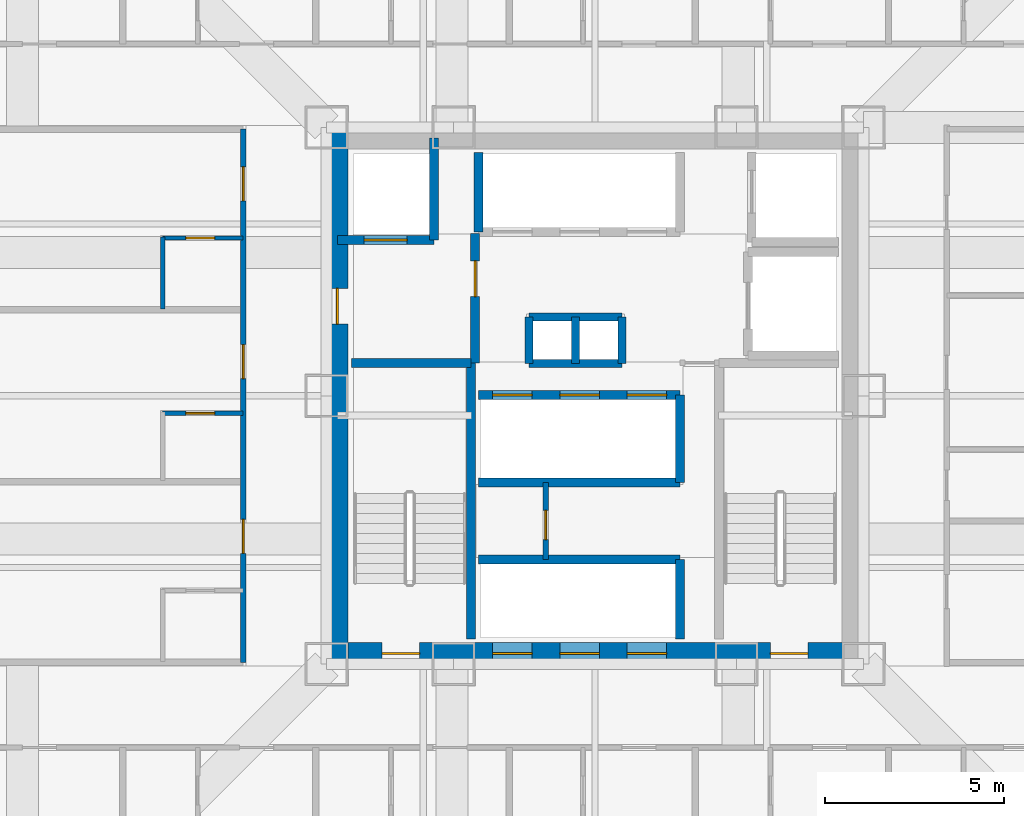
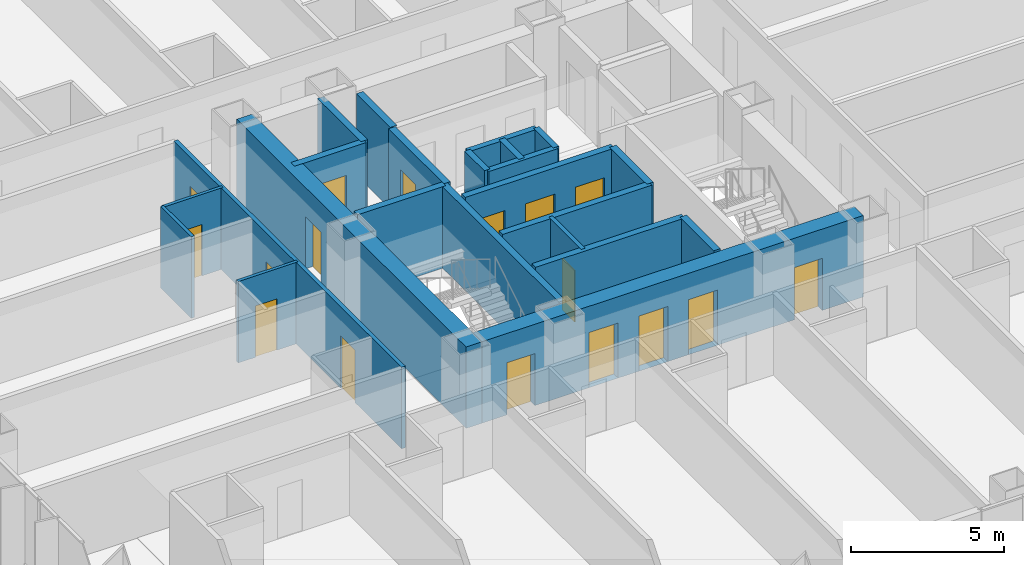
# One storey, part 16 of 24: 23 walls, 17 doors, 17 openings.
"""IFC4 building model written with IfcOpenShell, lengths in metres."""

from ifc_helpers import new_model, si_unit, direction, frame, frame_2d, origin, place, context, subcontext, project, spatial, rectangle, extrude, material, layer, layer_set, type_object, element, fill, save


model = new_model("IFC4")

# Units and contexts
model_context = context("Model", 3, precision=1e-05, world=origin(), true_north=direction((0.0, 1.0)))
body_context = subcontext(model_context, "Body", "Model", "MODEL_VIEW")
ifc_project = project(units=[si_unit("LENGTHUNIT", "METRE"), si_unit("AREAUNIT", "SQUARE_METRE"), si_unit("VOLUMEUNIT", "CUBIC_METRE"), si_unit("PLANEANGLEUNIT", "RADIAN"), si_unit("MASSUNIT", "GRAM", prefix="KILO")], contexts=[model_context])

# Site, building, storey
site_placement = place(None, origin())
site = spatial("IfcSite", under=ifc_project, at=site_placement, CompositionType="ELEMENT")
building_placement = place(site_placement, origin())
building = spatial("IfcBuilding", under=site, at=building_placement, Name="Trevonay Congress Spire", CompositionType="ELEMENT")
storey_placement = place(building_placement, frame((0.0, 0.0, 27.0)))
storey = spatial("IfcBuildingStorey", under=building, at=storey_placement, Name="L05", CompositionType="ELEMENT", Elevation=27.0)

# Wall, opening, door
ifc_material_1 = material(Name="Concrete C40/50", Category="concrete")
ifc_layer_1 = layer(ifc_material_1, 0.1201171875, Name="Concrete C40/50")
ifc_layer_set_1 = layer_set([ifc_layer_1], Name="Concrete C40/50")
wall_type_1 = type_object("IfcWallType", Name="WAL-BATH-120", PredefinedType="PLUMBINGWALL", material=ifc_layer_set_1)
wall_1_placement = place(storey_placement, frame((-12.080078125, -0.487060546875, 0.0), z_axis=(0.0, 0.0, 1.0), x_axis=(1.0, 0.0, 0.0)))
wall_1 = element("IfcWall", 1, at=wall_1_placement, inside=storey, type_object=wall_type_1, Name="L05 interior wall WH-L05W-BS2", PredefinedType="PLUMBINGWALL", context=body_context, shape_type="SweptSolid", body=[
    extrude(rectangle(XDim=2.25, YDim=0.1201171875, at=frame_2d((1.125, 0.0))), origin(), (0.0, 0.0, 1.0), 3.25),
])
opening_1_placement = place(wall_1_placement, frame((0.64990234375, 0.0, 0.0)))
opening_1 = element("IfcOpeningElement", 2, at=opening_1_placement, cuts=wall_1, Name="Opening D11", PredefinedType="OPENING", context=body_context, shape_type="SweptSolid", body=[
    extrude(rectangle(XDim=0.800048828125, YDim=2.050048828125, at=frame_2d((0.39990234375, 1.02490234375))), frame((0.0, 0.070068359375, 0.0), z_axis=(0.0, -1.0, 0.0), x_axis=(1.0, 0.0, 0.0)), (0.0, 0.0, 1.0), 0.14013671875),
])
ifc_material_2 = material(Name="Pale Anodised Aluminium EN AW-6063-T6", Category="aluminium")
door_type_1 = type_object("IfcDoorType", Name="DOR-BATH-80", OperationType="NOTDEFINED", PredefinedType="DOOR", material=ifc_material_2)
door_1_placement = place(opening_1_placement, origin())
door_1 = element("IfcDoor", 3, at=door_1_placement, inside=storey, type_object=door_type_1, Name="L05 En-suite Bathroom Door", OperationType="SINGLE_SWING_LEFT", OverallHeight=2.050048828125, OverallWidth=0.800048828125, PredefinedType="DOOR", context=body_context, shape_type="SweptSolid", body=[
    extrude(rectangle(XDim=0.800048828125, YDim=2.050048828125, at=frame_2d((0.39990234375, 1.02490234375))), frame((0.0, 0.02490234375, 0.0), z_axis=(0.0, -1.0, 0.0), x_axis=(1.0, 0.0, 0.0)), (0.0, 0.0, 1.0), 0.050048828125),
])
fill(opening_1, door_1)

wall_2_placement = place(storey_placement, frame((-12.080078125, 4.407958984375, 0.0), z_axis=(0.0, 0.0, 1.0), x_axis=(1.0, 0.0, 0.0)))
wall_2 = element("IfcWall", 4, at=wall_2_placement, inside=storey, type_object=wall_type_1, Name="L05 interior wall WH-L05W-BS3", PredefinedType="PLUMBINGWALL", context=body_context, shape_type="SweptSolid", body=[
    extrude(rectangle(XDim=2.25, YDim=0.1201171875, at=frame_2d((1.125, 0.0))), origin(), (0.0, 0.0, 1.0), 3.25),
])
opening_2_placement = place(wall_2_placement, frame((0.64990234375, 0.0, 0.0)))
opening_2 = element("IfcOpeningElement", 5, at=opening_2_placement, cuts=wall_2, Name="Opening D11", PredefinedType="OPENING", context=body_context, shape_type="SweptSolid", body=[
    extrude(rectangle(XDim=0.800048828125, YDim=2.050048828125, at=frame_2d((0.39990234375, 1.02490234375))), frame((0.0, 0.070068359375, 0.0), z_axis=(0.0, -1.0, 0.0), x_axis=(1.0, 0.0, 0.0)), (0.0, 0.0, 1.0), 0.14013671875),
])
door_2_placement = place(opening_2_placement, origin())
door_2 = element("IfcDoor", 6, at=door_2_placement, inside=storey, type_object=door_type_1, Name="L05 En-suite Bathroom Door", OperationType="SINGLE_SWING_RIGHT", OverallHeight=2.050048828125, OverallWidth=0.800048828125, PredefinedType="DOOR", context=body_context, shape_type="SweptSolid", body=[
    extrude(rectangle(XDim=0.800048828125, YDim=2.050048828125, at=frame_2d((0.39990234375, 1.02490234375))), frame((0.0, 0.02490234375, 0.0), z_axis=(0.0, -1.0, 0.0), x_axis=(1.0, 0.0, 0.0)), (0.0, 0.0, 1.0), 0.050048828125),
])
fill(opening_2, door_2)

# Wall
wall_3_placement = place(storey_placement, frame((-12.080078125, 2.429931640625, 0.0), z_axis=(0.0, 0.0, 1.0), x_axis=(0.0, 1.0, 0.0)))
element("IfcWall", 7, at=wall_3_placement, inside=storey, type_object=wall_type_1, Name="L05 interior wall WH-L05W-BF3", PredefinedType="PLUMBINGWALL", context=body_context, shape_type="SweptSolid", body=[
    extrude(rectangle(XDim=2.008056640625, YDim=0.1201171875, at=frame_2d((1.00390625, 0.0))), origin(), (0.0, 0.0, 1.0), 3.25),
])

# Wall, openings, doors
ifc_material_3 = material(Name="Concrete C60/75", Category="concrete")
ifc_layer_2 = layer(ifc_material_3, 0.60009765625, Name="Concrete C60/75")
ifc_layer_set_2 = layer_set([ifc_layer_2], Name="Concrete C60/75")
wall_type_2 = type_object("IfcWallType", Name="WAL-CORE-600", PredefinedType="SHEAR", material=ifc_layer_set_2)
wall_4_placement = place(storey_placement, frame((-7.5, -7.199951171875, 0.0), z_axis=(0.0, 0.0, 1.0), x_axis=(1.0, 0.0, 0.0)))
wall_4 = element("IfcWall", 8, at=wall_4_placement, inside=storey, type_object=wall_type_2, Name="L05 South structural core shear wall", PredefinedType="SHEAR", context=body_context, shape_type="SweptSolid", body=[
    extrude(rectangle(XDim=15.0, YDim=0.60009765625, at=frame_2d((7.5, 0.0))), origin(), (0.0, 0.0, 1.0), 3.25),
])
opening_3_placement = place(wall_4_placement, frame((1.550048828125, 0.0, 0.0)))
opening_3 = element("IfcOpeningElement", 9, at=opening_3_placement, cuts=wall_4, Name="Opening D05", PredefinedType="OPENING", context=body_context, shape_type="SweptSolid", body=[
    extrude(rectangle(XDim=1.050048828125, YDim=2.080078125, at=frame_2d((0.52490234375, 1.0400390625))), frame((0.0, 0.31005859375, 0.0), z_axis=(0.0, -1.0, 0.0), x_axis=(1.0, 0.0, 0.0)), (0.0, 0.0, 1.0), 0.6201171875),
])
opening_4_placement = place(wall_4_placement, frame((12.39990234375, 0.0, 0.0)))
opening_4 = element("IfcOpeningElement", 10, at=opening_4_placement, cuts=wall_4, Name="Opening D05", PredefinedType="OPENING", context=body_context, shape_type="SweptSolid", body=[
    extrude(rectangle(XDim=1.050048828125, YDim=2.080078125, at=frame_2d((0.52490234375, 1.0400390625))), frame((0.0, 0.31005859375, 0.0), z_axis=(0.0, -1.0, 0.0), x_axis=(1.0, 0.0, 0.0)), (0.0, 0.0, 1.0), 0.6201171875),
])
opening_5_placement = place(wall_4_placement, frame((4.639892578125, 0.0, 0.0)))
opening_5 = element("IfcOpeningElement", 11, at=opening_5_placement, cuts=wall_4, Name="Opening LD01", PredefinedType="OPENING", context=body_context, shape_type="SweptSolid", body=[
    extrude(rectangle(XDim=1.10009765625, YDim=2.199951171875, at=frame_2d((0.550048828125, 1.10009765625))), frame((0.0, 0.31005859375, 0.0), z_axis=(0.0, -1.0, 0.0), x_axis=(1.0, 0.0, 0.0)), (0.0, 0.0, 1.0), 0.6201171875),
])
opening_6_placement = place(wall_4_placement, frame((6.52001953125, 0.0, 0.0)))
opening_6 = element("IfcOpeningElement", 12, at=opening_6_placement, cuts=wall_4, Name="Opening LD01", PredefinedType="OPENING", context=body_context, shape_type="SweptSolid", body=[
    extrude(rectangle(XDim=1.10009765625, YDim=2.199951171875, at=frame_2d((0.550048828125, 1.10009765625))), frame((0.0, 0.31005859375, 0.0), z_axis=(0.0, -1.0, 0.0), x_axis=(1.0, 0.0, 0.0)), (0.0, 0.0, 1.0), 0.6201171875),
])
opening_7_placement = place(wall_4_placement, frame((8.39990234375, 0.0, 0.0)))
opening_7 = element("IfcOpeningElement", 13, at=opening_7_placement, cuts=wall_4, Name="Opening LD01", PredefinedType="OPENING", context=body_context, shape_type="SweptSolid", body=[
    extrude(rectangle(XDim=1.10009765625, YDim=2.199951171875, at=frame_2d((0.550048828125, 1.10009765625))), frame((0.0, 0.31005859375, 0.0), z_axis=(0.0, -1.0, 0.0), x_axis=(1.0, 0.0, 0.0)), (0.0, 0.0, 1.0), 0.6201171875),
])
door_type_2 = type_object("IfcDoorType", Name="DOR-LIFT-LD01", OperationType="DOUBLE_DOOR_SLIDING", PredefinedType="DOOR", material=ifc_material_2)
door_3_placement = place(opening_5_placement, origin())
door_3 = element("IfcDoor", 14, at=door_3_placement, inside=storey, type_object=door_type_2, Name="L05 Passenger lift PL-01 landing door", OperationType="DOUBLE_DOOR_SLIDING", OverallHeight=2.199951171875, OverallWidth=1.10009765625, PredefinedType="DOOR", context=body_context, shape_type="SweptSolid", body=[
    extrude(rectangle(XDim=1.10009765625, YDim=2.199951171875, at=frame_2d((0.550048828125, 1.10009765625))), frame((0.0, 0.02490234375, 0.0), z_axis=(0.0, -1.0, 0.0), x_axis=(1.0, 0.0, 0.0)), (0.0, 0.0, 1.0), 0.050048828125),
])
fill(opening_5, door_3)
door_4_placement = place(opening_6_placement, origin())
door_4 = element("IfcDoor", 15, at=door_4_placement, inside=storey, type_object=door_type_2, Name="L05 Passenger lift PL-02 landing door", OperationType="DOUBLE_DOOR_SLIDING", OverallHeight=2.199951171875, OverallWidth=1.10009765625, PredefinedType="DOOR", context=body_context, shape_type="SweptSolid", body=[
    extrude(rectangle(XDim=1.10009765625, YDim=2.199951171875, at=frame_2d((0.550048828125, 1.10009765625))), frame((0.0, 0.02490234375, 0.0), z_axis=(0.0, -1.0, 0.0), x_axis=(1.0, 0.0, 0.0)), (0.0, 0.0, 1.0), 0.050048828125),
])
fill(opening_6, door_4)
door_5_placement = place(opening_7_placement, origin())
door_5 = element("IfcDoor", 16, at=door_5_placement, inside=storey, type_object=door_type_2, Name="L05 Passenger lift PL-03 landing door", OperationType="DOUBLE_DOOR_SLIDING", OverallHeight=2.199951171875, OverallWidth=1.10009765625, PredefinedType="DOOR", context=body_context, shape_type="SweptSolid", body=[
    extrude(rectangle(XDim=1.10009765625, YDim=2.199951171875, at=frame_2d((0.550048828125, 1.10009765625))), frame((0.0, 0.02490234375, 0.0), z_axis=(0.0, -1.0, 0.0), x_axis=(1.0, 0.0, 0.0)), (0.0, 0.0, 1.0), 0.050048828125),
])
fill(opening_7, door_5)
ifc_material_4 = material(Name="Steel ASTM A572 Grade 50", Category="steel")
door_type_3 = type_object("IfcDoorType", Name="DOR-STAIR-110", OperationType="NOTDEFINED", PredefinedType="DOOR", material=ifc_material_4)
door_6_placement = place(opening_3_placement, origin())
door_6 = element("IfcDoor", 17, at=door_6_placement, inside=storey, type_object=door_type_3, Name="L05 Protected Stair ST-1 Door", OperationType="SINGLE_SWING_RIGHT", OverallHeight=2.080078125, OverallWidth=1.050048828125, PredefinedType="DOOR", context=body_context, shape_type="SweptSolid", body=[
    extrude(rectangle(XDim=1.050048828125, YDim=2.080078125, at=frame_2d((0.52490234375, 1.0400390625))), frame((0.0, 0.02490234375, 0.0), z_axis=(0.0, -1.0, 0.0), x_axis=(1.0, 0.0, 0.0)), (0.0, 0.0, 1.0), 0.050048828125),
])
fill(opening_3, door_6)
door_7_placement = place(opening_4_placement, origin())
door_7 = element("IfcDoor", 18, at=door_7_placement, inside=storey, type_object=door_type_3, Name="L05 Protected Stair ST-2 Door", OperationType="SINGLE_SWING_LEFT", OverallHeight=2.080078125, OverallWidth=1.050048828125, PredefinedType="DOOR", context=body_context, shape_type="SweptSolid", body=[
    extrude(rectangle(XDim=1.050048828125, YDim=2.080078125, at=frame_2d((0.52490234375, 1.0400390625))), frame((0.0, 0.02490234375, 0.0), z_axis=(0.0, -1.0, 0.0), x_axis=(1.0, 0.0, 0.0)), (0.0, 0.0, 1.0), 0.050048828125),
])
fill(opening_4, door_7)

# Wall, opening, door
wall_5_placement = place(storey_placement, frame((-7.199951171875, -7.5, 0.0), z_axis=(0.0, 0.0, 1.0), x_axis=(0.0, 1.0, 0.0)))
wall_5 = element("IfcWall", 19, at=wall_5_placement, inside=storey, type_object=wall_type_2, Name="L05 West structural core shear wall", PredefinedType="SHEAR", context=body_context, shape_type="SweptSolid", body=[
    extrude(rectangle(XDim=15.0, YDim=0.60009765625, at=frame_2d((7.5, 0.0))), origin(), (0.0, 0.0, 1.0), 3.25),
])
opening_8_placement = place(wall_5_placement, frame((9.5, 0.0, 0.0)))
opening_8 = element("IfcOpeningElement", 20, at=opening_8_placement, cuts=wall_5, Name="Opening D06", PredefinedType="OPENING", context=body_context, shape_type="SweptSolid", body=[
    extrude(rectangle(XDim=1.0, YDim=2.080078125, at=frame_2d((0.5, 1.0400390625))), frame((0.0, 0.31005859375, 0.0), z_axis=(0.0, -1.0, 0.0), x_axis=(1.0, 0.0, 0.0)), (0.0, 0.0, 1.0), 0.6201171875),
])
door_type_4 = type_object("IfcDoorType", Name="DOR-FIRE-100", OperationType="NOTDEFINED", PredefinedType="DOOR", material=ifc_material_4)
door_8_placement = place(opening_8_placement, origin())
door_8 = element("IfcDoor", 21, at=door_8_placement, inside=storey, type_object=door_type_4, Name="L05 Firefighting Lift Lobby West Corridor Door", OperationType="SINGLE_SWING_RIGHT", OverallHeight=2.080078125, OverallWidth=1.0, PredefinedType="DOOR", context=body_context, shape_type="SweptSolid", body=[
    extrude(rectangle(XDim=1.0, YDim=2.080078125, at=frame_2d((0.5, 1.0400390625))), frame((0.0, 0.02490234375, 0.0), z_axis=(0.0, -1.0, 0.0), x_axis=(1.0, 0.0, 0.0)), (0.0, 0.0, 1.0), 0.050048828125),
])
fill(opening_8, door_8)

# Wall, openings, doors
ifc_layer_3 = layer(ifc_material_1, 0.14990234375, Name="Concrete C40/50")
ifc_layer_set_3 = layer_set([ifc_layer_3], Name="Concrete C40/50")
wall_type_3 = type_object("IfcWallType", Name="WAL-CORR-150", PredefinedType="PARTITIONING", material=ifc_layer_set_3)
wall_6_placement = place(storey_placement, frame((-9.830078125, -7.449951171875, 0.0), z_axis=(0.0, 0.0, 1.0), x_axis=(0.0, 1.0, 0.0)))
wall_6 = element("IfcWall", 22, at=wall_6_placement, inside=storey, type_object=wall_type_3, Name="L05 interior wall WH-L05W-COR", PredefinedType="PARTITIONING", context=body_context, shape_type="SweptSolid", body=[
    extrude(rectangle(XDim=14.89990234375, YDim=0.14990234375, at=frame_2d((7.449951171875, 0.0))), origin(), (0.0, 0.0, 1.0), 3.25),
])
opening_9_placement = place(wall_6_placement, frame((3.049072265625, 0.0, 0.0)))
opening_9 = element("IfcOpeningElement", 23, at=opening_9_placement, cuts=wall_6, Name="Opening D08", PredefinedType="OPENING", context=body_context, shape_type="SweptSolid", body=[
    extrude(rectangle(XDim=0.949951171875, YDim=2.080078125, at=frame_2d((0.47509765625, 1.0400390625))), frame((0.0, 0.0849609375, 0.0), z_axis=(0.0, -1.0, 0.0), x_axis=(1.0, 0.0, 0.0)), (0.0, 0.0, 1.0), 0.169921875),
])
opening_10_placement = place(wall_6_placement, frame((7.926513671875, 0.0, 0.0)))
opening_10 = element("IfcOpeningElement", 24, at=opening_10_placement, cuts=wall_6, Name="Opening D08", PredefinedType="OPENING", context=body_context, shape_type="SweptSolid", body=[
    extrude(rectangle(XDim=0.949951171875, YDim=2.080078125, at=frame_2d((0.47509765625, 1.0400390625))), frame((0.0, 0.0849609375, 0.0), z_axis=(0.0, -1.0, 0.0), x_axis=(1.0, 0.0, 0.0)), (0.0, 0.0, 1.0), 0.169921875),
])
opening_11_placement = place(wall_6_placement, frame((12.89892578125, 0.0, 0.0)))
opening_11 = element("IfcOpeningElement", 25, at=opening_11_placement, cuts=wall_6, Name="Opening D08", PredefinedType="OPENING", context=body_context, shape_type="SweptSolid", body=[
    extrude(rectangle(XDim=0.949951171875, YDim=2.080078125, at=frame_2d((0.47509765625, 1.0400390625))), frame((0.0, 0.0849609375, 0.0), z_axis=(0.0, -1.0, 0.0), x_axis=(1.0, 0.0, 0.0)), (0.0, 0.0, 1.0), 0.169921875),
])
door_type_5 = type_object("IfcDoorType", Name="DOR-SUITE-95", OperationType="NOTDEFINED", PredefinedType="DOOR", material=ifc_material_2)
door_9_placement = place(opening_9_placement, origin())
door_9 = element("IfcDoor", 26, at=door_9_placement, inside=storey, type_object=door_type_5, Name="L05 Hotel Guest Room Entrance Door", OperationType="SINGLE_SWING_LEFT", OverallHeight=2.080078125, OverallWidth=0.949951171875, PredefinedType="DOOR", context=body_context, shape_type="SweptSolid", body=[
    extrude(rectangle(XDim=0.949951171875, YDim=2.080078125, at=frame_2d((0.47509765625, 1.0400390625))), frame((0.0, 0.02490234375, 0.0), z_axis=(0.0, -1.0, 0.0), x_axis=(1.0, 0.0, 0.0)), (0.0, 0.0, 1.0), 0.050048828125),
])
fill(opening_9, door_9)
door_10_placement = place(opening_10_placement, origin())
door_10 = element("IfcDoor", 27, at=door_10_placement, inside=storey, type_object=door_type_5, Name="L05 Corner Hotel Suite Entrance Door", OperationType="SINGLE_SWING_RIGHT", OverallHeight=2.080078125, OverallWidth=0.949951171875, PredefinedType="DOOR", context=body_context, shape_type="SweptSolid", body=[
    extrude(rectangle(XDim=0.949951171875, YDim=2.080078125, at=frame_2d((0.47509765625, 1.0400390625))), frame((0.0, 0.02490234375, 0.0), z_axis=(0.0, -1.0, 0.0), x_axis=(1.0, 0.0, 0.0)), (0.0, 0.0, 1.0), 0.050048828125),
])
fill(opening_10, door_10)
door_11_placement = place(opening_11_placement, origin())
door_11 = element("IfcDoor", 28, at=door_11_placement, inside=storey, type_object=door_type_5, Name="L05 Hotel Guest Room Entrance Door", OperationType="SINGLE_SWING_LEFT", OverallHeight=2.080078125, OverallWidth=0.949951171875, PredefinedType="DOOR", context=body_context, shape_type="SweptSolid", body=[
    extrude(rectangle(XDim=0.949951171875, YDim=2.080078125, at=frame_2d((0.47509765625, 1.0400390625))), frame((0.0, 0.02490234375, 0.0), z_axis=(0.0, -1.0, 0.0), x_axis=(1.0, 0.0, 0.0)), (0.0, 0.0, 1.0), 0.050048828125),
])
fill(opening_11, door_11)

# Wall, opening, door
ifc_layer_4 = layer(ifc_material_1, 0.14990234375, Name="Concrete C40/50")
ifc_layer_set_4 = layer_set([ifc_layer_4], Name="Concrete C40/50")
wall_type_4 = type_object("IfcWallType", Name="WAL-PART-150", PredefinedType="PARTITIONING", material=ifc_layer_set_4)
wall_7_placement = place(storey_placement, frame((-1.3798828125, -4.570068359375, 0.0), z_axis=(0.0, 0.0, 1.0), x_axis=(0.0, 1.0, 0.0)))
wall_7 = element("IfcWall", 29, at=wall_7_placement, inside=storey, type_object=wall_type_4, Name="L05 interior wall CW-K2-L05", PredefinedType="PARTITIONING", context=body_context, shape_type="SweptSolid", body=[
    extrude(rectangle(XDim=2.14013671875, YDim=0.14990234375, at=frame_2d((1.070068359375, 0.0))), origin(), (0.0, 0.0, 1.0), 3.25),
])
opening_12_placement = place(wall_7_placement, frame((0.550048828125, 0.0, 0.0)))
opening_12 = element("IfcOpeningElement", 30, at=opening_12_placement, cuts=wall_7, Name="Opening D13", PredefinedType="OPENING", context=body_context, shape_type="SweptSolid", body=[
    extrude(rectangle(XDim=0.820068359375, YDim=2.050048828125, at=frame_2d((0.41015625, 1.02490234375))), frame((0.0, 0.0849609375, 0.0), z_axis=(0.0, -1.0, 0.0), x_axis=(1.0, 0.0, 0.0)), (0.0, 0.0, 1.0), 0.169921875),
])
door_type_6 = type_object("IfcDoorType", Name="DOR-UTIL-80", OperationType="NOTDEFINED", PredefinedType="DOOR", material=ifc_material_4)
door_12_placement = place(opening_12_placement, origin())
door_12 = element("IfcDoor", 31, at=door_12_placement, inside=storey, type_object=door_type_6, Name="L05 Core Valve Room Door", OperationType="SINGLE_SWING_LEFT", OverallHeight=2.050048828125, OverallWidth=0.820068359375, PredefinedType="DOOR", context=body_context, shape_type="SweptSolid", body=[
    extrude(rectangle(XDim=0.820068359375, YDim=2.050048828125, at=frame_2d((0.41015625, 1.02490234375))), frame((0.0, 0.02490234375, 0.0), z_axis=(0.0, -1.0, 0.0), x_axis=(1.0, 0.0, 0.0)), (0.0, 0.0, 1.0), 0.050048828125),
])
fill(opening_12, door_12)

# Walls
ifc_layer_5 = layer(ifc_material_1, 0.219970703125, Name="Concrete C40/50")
ifc_layer_set_5 = layer_set([ifc_layer_5], Name="Concrete C40/50")
wall_type_5 = type_object("IfcWallType", Name="WAL-SHAFT-220", PredefinedType="PARTITIONING", material=ifc_layer_set_5)
for number, where, z_axis, x_axis, name in (
    (32, (-1.85009765625, 2.199951171875, 0.0), (0.0, 0.0, 1.0), (1.0, 0.0, 0.0), "L05 interior shaft wall WSH-L05-RSR-N"),
    (33, (-1.85009765625, 0.89990234375, 0.0), (0.0, 0.0, 1.0), (1.0, 0.0, 0.0), "L05 interior shaft wall WSH-L05-RSR-S"),
):
    element("IfcWall", number, at=place(storey_placement, frame(where, z_axis=z_axis, x_axis=x_axis)), inside=storey, type_object=wall_type_5, Name=name, PredefinedType="PARTITIONING", context=body_context, shape_type="SweptSolid", body=[
        extrude(rectangle(XDim=2.60009765625, YDim=0.219970703125, at=frame_2d((1.300048828125, 0.0))), origin(), (0.0, 0.0, 1.0), 3.25),
    ])
for number, where, z_axis, x_axis, name in (
    (34, (-0.550048828125, 0.89990234375, 0.0), (0.0, 0.0, 1.0), (0.0, 1.0, 0.0), "L05 interior shaft wall WSH-L05-RSR-M"),
    (35, (0.75, 0.89990234375, 0.0), (0.0, 0.0, 1.0), (0.0, 1.0, 0.0), "L05 interior shaft wall WSH-L05-RSR-E"),
    (36, (-1.85009765625, 0.89990234375, 0.0), (0.0, 0.0, 1.0), (0.0, 1.0, 0.0), "L05 interior shaft wall WSH-L05-RSR-W"),
):
    element("IfcWall", number, at=place(storey_placement, frame(where, z_axis=z_axis, x_axis=x_axis)), inside=storey, type_object=wall_type_5, Name=name, PredefinedType="PARTITIONING", context=body_context, shape_type="SweptSolid", body=[
        extrude(rectangle(XDim=1.300048828125, YDim=0.219970703125, at=frame_2d((0.64990234375, 0.0))), origin(), (0.0, 0.0, 1.0), 3.25),
    ])
ifc_layer_6 = layer(ifc_material_1, 0.25, Name="Concrete C40/50")
ifc_layer_set_6 = layer_set([ifc_layer_6], Name="Concrete C40/50")
wall_type_6 = type_object("IfcWallType", Name="WAL-SHAFT-250", PredefinedType="SHEAR", material=ifc_layer_set_6)
wall_8_placement = place(storey_placement, frame((-3.260009765625, -4.580078125, 0.0), z_axis=(0.0, 0.0, 1.0), x_axis=(1.0, 0.0, 0.0)))
element("IfcWall", 37, at=wall_8_placement, inside=storey, type_object=wall_type_6, Name="L05 interior shaft wall WSH-L05-B1-N", PredefinedType="SHEAR", context=body_context, shape_type="SweptSolid", body=[
    extrude(rectangle(XDim=5.639892578125, YDim=0.25, at=frame_2d((2.81982421875, 0.0))), origin(), (0.0, 0.0, 1.0), 3.25),
])
wall_9_placement = place(storey_placement, frame((2.3798828125, -6.800048828125, 0.0), z_axis=(0.0, 0.0, 1.0), x_axis=(0.0, 1.0, 0.0)))
element("IfcWall", 38, at=wall_9_placement, inside=storey, type_object=wall_type_6, Name="L05 interior shaft wall WSH-L05-B1-E", PredefinedType="SHEAR", context=body_context, shape_type="SweptSolid", body=[
    extrude(rectangle(XDim=2.219970703125, YDim=0.25, at=frame_2d((1.10986328125, 0.0))), origin(), (0.0, 0.0, 1.0), 3.25),
])

# Wall, openings, doors
wall_10_placement = place(storey_placement, frame((-3.260009765625, 0.02001953125, 0.0), z_axis=(0.0, 0.0, 1.0), x_axis=(1.0, 0.0, 0.0)))
wall_10 = element("IfcWall", 39, at=wall_10_placement, inside=storey, type_object=wall_type_6, Name="L05 interior shaft wall WSH-L05-B2-N", PredefinedType="SHEAR", context=body_context, shape_type="SweptSolid", body=[
    extrude(rectangle(XDim=5.639892578125, YDim=0.25, at=frame_2d((2.81982421875, 0.0))), origin(), (0.0, 0.0, 1.0), 3.25),
])
opening_13_placement = place(wall_10_placement, frame((0.39990234375, 0.0, 0.0)))
opening_13 = element("IfcOpeningElement", 40, at=opening_13_placement, cuts=wall_10, Name="Opening LD02", PredefinedType="OPENING", context=body_context, shape_type="SweptSolid", body=[
    extrude(rectangle(XDim=1.10009765625, YDim=2.199951171875, at=frame_2d((0.550048828125, 1.10009765625))), frame((0.0, 0.135009765625, 0.0), z_axis=(0.0, -1.0, 0.0), x_axis=(1.0, 0.0, 0.0)), (0.0, 0.0, 1.0), 0.27001953125),
])
opening_14_placement = place(wall_10_placement, frame((2.280029296875, 0.0, 0.0)))
opening_14 = element("IfcOpeningElement", 41, at=opening_14_placement, cuts=wall_10, Name="Opening LD02", PredefinedType="OPENING", context=body_context, shape_type="SweptSolid", body=[
    extrude(rectangle(XDim=1.10009765625, YDim=2.199951171875, at=frame_2d((0.550048828125, 1.10009765625))), frame((0.0, 0.135009765625, 0.0), z_axis=(0.0, -1.0, 0.0), x_axis=(1.0, 0.0, 0.0)), (0.0, 0.0, 1.0), 0.27001953125),
])
opening_15_placement = place(wall_10_placement, frame((4.159912109375, 0.0, 0.0)))
opening_15 = element("IfcOpeningElement", 42, at=opening_15_placement, cuts=wall_10, Name="Opening LD02", PredefinedType="OPENING", context=body_context, shape_type="SweptSolid", body=[
    extrude(rectangle(XDim=1.10009765625, YDim=2.199951171875, at=frame_2d((0.550048828125, 1.10009765625))), frame((0.0, 0.135009765625, 0.0), z_axis=(0.0, -1.0, 0.0), x_axis=(1.0, 0.0, 0.0)), (0.0, 0.0, 1.0), 0.27001953125),
])
door_type_7 = type_object("IfcDoorType", Name="DOR-LIFT-LD02", OperationType="DOUBLE_DOOR_SLIDING", PredefinedType="DOOR", material=ifc_material_2)
door_13_placement = place(opening_13_placement, origin())
door_13 = element("IfcDoor", 43, at=door_13_placement, inside=storey, type_object=door_type_7, Name="L05 Passenger lift PL-04 landing door", OperationType="DOUBLE_DOOR_SLIDING", OverallHeight=2.199951171875, OverallWidth=1.10009765625, PredefinedType="DOOR", context=body_context, shape_type="SweptSolid", body=[
    extrude(rectangle(XDim=1.10009765625, YDim=2.199951171875, at=frame_2d((0.550048828125, 1.10009765625))), frame((0.0, 0.02490234375, 0.0), z_axis=(0.0, -1.0, 0.0), x_axis=(1.0, 0.0, 0.0)), (0.0, 0.0, 1.0), 0.050048828125),
])
fill(opening_13, door_13)
door_14_placement = place(opening_14_placement, origin())
door_14 = element("IfcDoor", 44, at=door_14_placement, inside=storey, type_object=door_type_7, Name="L05 Passenger lift PL-05 landing door", OperationType="DOUBLE_DOOR_SLIDING", OverallHeight=2.199951171875, OverallWidth=1.10009765625, PredefinedType="DOOR", context=body_context, shape_type="SweptSolid", body=[
    extrude(rectangle(XDim=1.10009765625, YDim=2.199951171875, at=frame_2d((0.550048828125, 1.10009765625))), frame((0.0, 0.02490234375, 0.0), z_axis=(0.0, -1.0, 0.0), x_axis=(1.0, 0.0, 0.0)), (0.0, 0.0, 1.0), 0.050048828125),
])
fill(opening_14, door_14)
door_15_placement = place(opening_15_placement, origin())
door_15 = element("IfcDoor", 45, at=door_15_placement, inside=storey, type_object=door_type_7, Name="L05 Passenger lift PL-06 landing door", OperationType="DOUBLE_DOOR_SLIDING", OverallHeight=2.199951171875, OverallWidth=1.10009765625, PredefinedType="DOOR", context=body_context, shape_type="SweptSolid", body=[
    extrude(rectangle(XDim=1.10009765625, YDim=2.199951171875, at=frame_2d((0.550048828125, 1.10009765625))), frame((0.0, 0.02490234375, 0.0), z_axis=(0.0, -1.0, 0.0), x_axis=(1.0, 0.0, 0.0)), (0.0, 0.0, 1.0), 0.050048828125),
])
fill(opening_15, door_15)

# Walls
wall_11_placement = place(storey_placement, frame((-3.260009765625, -2.419921875, 0.0), z_axis=(0.0, 0.0, 1.0), x_axis=(1.0, 0.0, 0.0)))
element("IfcWall", 46, at=wall_11_placement, inside=storey, type_object=wall_type_6, Name="L05 interior shaft wall WSH-L05-B2-S", PredefinedType="SHEAR", context=body_context, shape_type="SweptSolid", body=[
    extrude(rectangle(XDim=5.639892578125, YDim=0.25, at=frame_2d((2.81982421875, 0.0))), origin(), (0.0, 0.0, 1.0), 3.25),
])
wall_12_placement = place(storey_placement, frame((2.3798828125, -2.419921875, 0.0), z_axis=(0.0, 0.0, 1.0), x_axis=(0.0, 1.0, 0.0)))
element("IfcWall", 47, at=wall_12_placement, inside=storey, type_object=wall_type_6, Name="L05 interior shaft wall WSH-L05-B2-E", PredefinedType="SHEAR", context=body_context, shape_type="SweptSolid", body=[
    extrude(rectangle(XDim=2.43994140625, YDim=0.25, at=frame_2d((1.219970703125, 0.0))), origin(), (0.0, 0.0, 1.0), 3.25),
])
wall_13_placement = place(storey_placement, frame((-3.260009765625, 4.580078125, 0.0), z_axis=(0.0, 0.0, 1.0), x_axis=(0.0, 1.0, 0.0)))
element("IfcWall", 48, at=wall_13_placement, inside=storey, type_object=wall_type_6, Name="L05 interior shaft wall WSH-L05-B3-W", PredefinedType="SHEAR", context=body_context, shape_type="SweptSolid", body=[
    extrude(rectangle(XDim=2.219970703125, YDim=0.25, at=frame_2d((1.10986328125, 0.0))), origin(), (0.0, 0.0, 1.0), 3.25),
])

# Wall, opening, door
wall_14_placement = place(storey_placement, frame((-7.199951171875, 4.35009765625, 0.0), z_axis=(0.0, 0.0, 1.0), x_axis=(1.0, 0.0, 0.0)))
wall_14 = element("IfcWall", 49, at=wall_14_placement, inside=storey, type_object=wall_type_6, Name="L05 interior shaft wall WSH-L05-FF1-S", PredefinedType="SHEAR", context=body_context, shape_type="SweptSolid", body=[
    extrude(rectangle(XDim=2.699951171875, YDim=0.25, at=frame_2d((1.35009765625, 0.0))), origin(), (0.0, 0.0, 1.0), 3.25),
])
opening_16_placement = place(wall_14_placement, frame((0.75, 0.0, 0.0)))
opening_16 = element("IfcOpeningElement", 50, at=opening_16_placement, cuts=wall_14, Name="Opening LD04", PredefinedType="OPENING", context=body_context, shape_type="SweptSolid", body=[
    extrude(rectangle(XDim=1.199951171875, YDim=2.199951171875, at=frame_2d((0.60009765625, 1.10009765625))), frame((0.0, 0.135009765625, 0.0), z_axis=(0.0, -1.0, 0.0), x_axis=(1.0, 0.0, 0.0)), (0.0, 0.0, 1.0), 0.27001953125),
])
door_type_8 = type_object("IfcDoorType", Name="DOR-LIFT-LD04", OperationType="DOUBLE_DOOR_SLIDING", PredefinedType="DOOR", material=ifc_material_4)
door_16_placement = place(opening_16_placement, origin())
door_16 = element("IfcDoor", 51, at=door_16_placement, inside=storey, type_object=door_type_8, Name="L05 Firefighting lift FFL-01 landing door", OperationType="DOUBLE_DOOR_SLIDING", OverallHeight=2.199951171875, OverallWidth=1.199951171875, PredefinedType="DOOR", context=body_context, shape_type="SweptSolid", body=[
    extrude(rectangle(XDim=1.199951171875, YDim=2.199951171875, at=frame_2d((0.60009765625, 1.10009765625))), frame((0.0, 0.02490234375, 0.0), z_axis=(0.0, -1.0, 0.0), x_axis=(1.0, 0.0, 0.0)), (0.0, 0.0, 1.0), 0.050048828125),
])
fill(opening_16, door_16)

# Wall
wall_15_placement = place(storey_placement, frame((-4.5, 4.35009765625, 0.0), z_axis=(0.0, 0.0, 1.0), x_axis=(0.0, 1.0, 0.0)))
element("IfcWall", 52, at=wall_15_placement, inside=storey, type_object=wall_type_6, Name="L05 interior shaft wall WSH-L05-FF1-E", PredefinedType="SHEAR", context=body_context, shape_type="SweptSolid", body=[
    extrude(rectangle(XDim=2.849853515625, YDim=0.25, at=frame_2d((1.4248046875, 0.0))), origin(), (0.0, 0.0, 1.0), 3.25),
])

# Wall, opening, door
wall_16_placement = place(storey_placement, frame((-3.35009765625, 0.919921875, 0.0), z_axis=(0.0, 0.0, 1.0), x_axis=(0.0, 1.0, 0.0)))
wall_16 = element("IfcWall", 53, at=wall_16_placement, inside=storey, type_object=wall_type_6, Name="L05 interior wall CW-FFLW-E-L05", PredefinedType="SHEAR", context=body_context, shape_type="SweptSolid", body=[
    extrude(rectangle(XDim=3.6201171875, YDim=0.25, at=frame_2d((1.81005859375, 0.0))), origin(), (0.0, 0.0, 1.0), 3.25),
])
opening_17_placement = place(wall_16_placement, frame((1.85009765625, 0.0, 0.0)))
opening_17 = element("IfcOpeningElement", 54, at=opening_17_placement, cuts=wall_16, Name="Opening D06", PredefinedType="OPENING", context=body_context, shape_type="SweptSolid", body=[
    extrude(rectangle(XDim=1.0, YDim=2.080078125, at=frame_2d((0.5, 1.0400390625))), frame((0.0, 0.135009765625, 0.0), z_axis=(0.0, -1.0, 0.0), x_axis=(1.0, 0.0, 0.0)), (0.0, 0.0, 1.0), 0.27001953125),
])
door_17_placement = place(opening_17_placement, origin())
door_17 = element("IfcDoor", 55, at=door_17_placement, inside=storey, type_object=door_type_4, Name="L05 Firefighting Core Lobby Transfer Door", OperationType="SINGLE_SWING_LEFT", OverallHeight=2.080078125, OverallWidth=1.0, PredefinedType="DOOR", context=body_context, shape_type="SweptSolid", body=[
    extrude(rectangle(XDim=1.0, YDim=2.080078125, at=frame_2d((0.5, 1.0400390625))), frame((0.0, 0.02490234375, 0.0), z_axis=(0.0, -1.0, 0.0), x_axis=(1.0, 0.0, 0.0)), (0.0, 0.0, 1.0), 0.050048828125),
])
fill(opening_17, door_17)

# Walls
ifc_layer_7 = layer(ifc_material_1, 0.25, Name="Concrete C40/50")
ifc_layer_set_7 = layer_set([ifc_layer_7], Name="Concrete C40/50")
wall_type_7 = type_object("IfcWallType", Name="WAL-SHAFT-LB-250", PredefinedType="SHEAR", material=ifc_layer_set_7)
wall_17_placement = place(storey_placement, frame((-3.469970703125, -6.800048828125, 0.0), z_axis=(0.0, 0.0, 1.0), x_axis=(0.0, 1.0, 0.0)))
element("IfcWall", 56, at=wall_17_placement, inside=storey, type_object=wall_type_7, Name="L05 interior shaft wall WSH-L05-ST1-E", PredefinedType="SHEAR", context=body_context, shape_type="SweptSolid", body=[
    extrude(rectangle(XDim=7.719970703125, YDim=0.25, at=frame_2d((3.85986328125, 0.0))), origin(), (0.0, 0.0, 1.0), 3.25),
])
wall_18_placement = place(storey_placement, frame((-6.800048828125, 0.919921875, 0.0), z_axis=(0.0, 0.0, 1.0), x_axis=(1.0, 0.0, 0.0)))
element("IfcWall", 57, at=wall_18_placement, inside=storey, type_object=wall_type_7, Name="L05 interior shaft wall WSH-L05-ST1-N", PredefinedType="SHEAR", context=body_context, shape_type="SweptSolid", body=[
    extrude(rectangle(XDim=3.330078125, YDim=0.25, at=frame_2d((1.6650390625, 0.0))), origin(), (0.0, 0.0, 1.0), 3.25),
])

save(model, "model.ifc")
